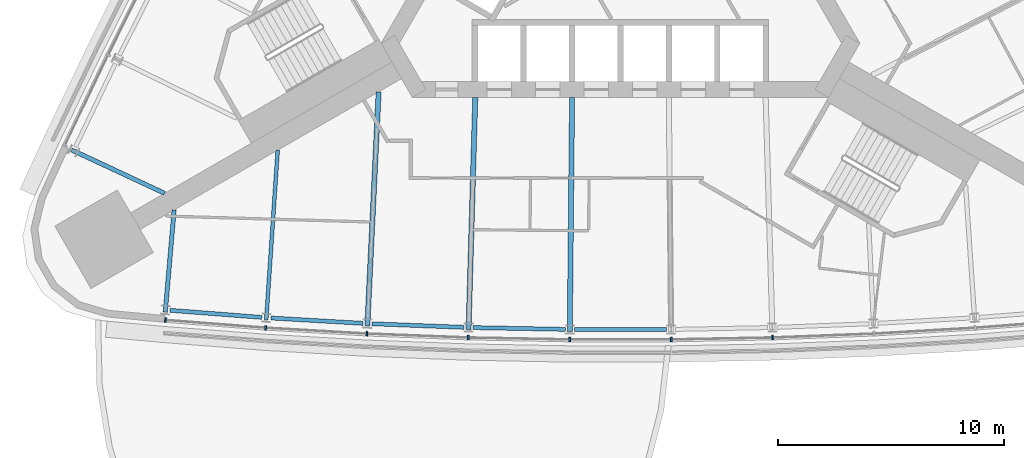
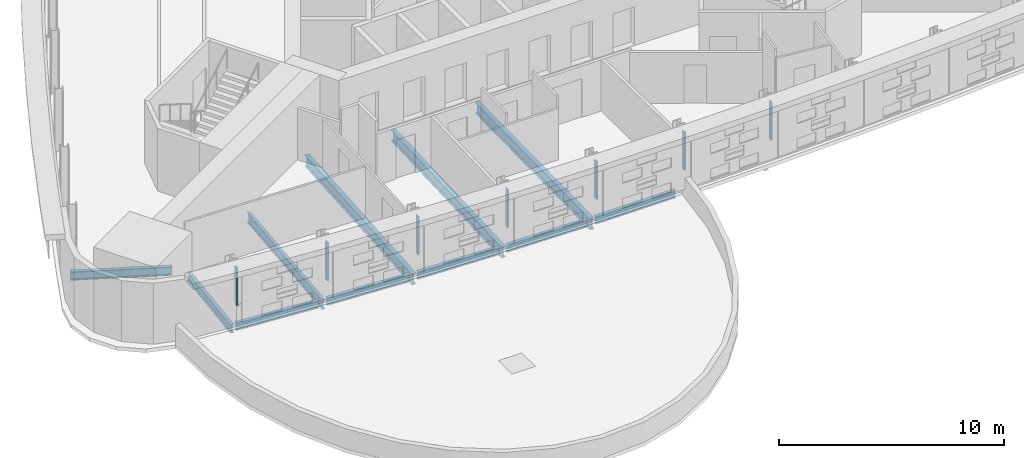
# One storey, part 2 of 15: 11 beams, 7 members, 1 element without a shape of its own.
"""IFC4 building model written with IfcOpenShell, lengths in metres."""

import ifcopenshell
import ifcopenshell.guid

model = None  # the IFC model being written
_history = None  # IfcOwnerHistory: only IFC2X3 demands one
_inside = {}  # id of a spatial element -> (the spatial element, [elements in it])
_under = {}  # id of a project, library or spatial element -> (it, [spatial elements below it])
_declared = {}  # id of a project -> (the project, [libraries it declares])
_typed = {}  # id of a type object -> (the type object, [elements of that type])
_made_of = {}  # id of a material, layer set ... -> (it, [elements and type objects made of it])


def new_model(schema):
    """Start an empty IFC model of exactly this schema.

    Asked for "IFC4X3", IfcOpenShell would pick the latest addendum, in which some entities
    have other attributes; the version numbers below select the first issue.
    IFC2X3 requires an IfcOwnerHistory on every rooted entity: one is made here for all.
    """
    global model, _history
    if schema == "IFC4X3":
        model = ifcopenshell.file(schema_version=(4, 3, 0, 0))
    else:
        model = ifcopenshell.file(schema=schema)
    _inside.clear()
    _under.clear()
    _declared.clear()
    _typed.clear()
    _made_of.clear()
    _history = None
    if model.schema == "IFC2X3":
        org = make("IfcOrganization", Name="unknown")
        user = make(
            "IfcPersonAndOrganization",
            ThePerson=make("IfcPerson", FamilyName="unknown"),
            TheOrganization=org,
        )
        app = make(
            "IfcApplication",
            ApplicationDeveloper=org,
            Version="unknown",
            ApplicationFullName="unknown",
            ApplicationIdentifier="unknown",
        )
        _history = make(
            "IfcOwnerHistory",
            OwningUser=user,
            OwningApplication=app,
            ChangeAction="ADDED",
            CreationDate=0,
        )
    return model


def make(cls, **values):
    """One entity of the class cls with the attributes given. An attribute that is None is left unset."""
    return model.create_entity(
        cls, **{name: value for name, value in values.items() if value is not None}
    )


def rooted(cls, **values):
    """An entity with a GlobalId (a new one), such as an element, a storey or a relation."""
    return make(cls, GlobalId=ifcopenshell.guid.new(), OwnerHistory=_history, **values)


def si_unit(unit_type, name, prefix=None):
    """IfcSIUnit, for example si_unit("LENGTHUNIT", "METRE", prefix="MILLI")."""
    return make("IfcSIUnit", UnitType=unit_type, Prefix=prefix, Name=name)


def assignment(units):
    """IfcUnitAssignment: the units of a project."""
    return None if units is None else make("IfcUnitAssignment", Units=units)


def point(xyz):
    """IfcCartesianPoint."""
    return None if xyz is None else make("IfcCartesianPoint", Coordinates=xyz)


def direction(xyz):
    """IfcDirection."""
    return None if xyz is None else make("IfcDirection", DirectionRatios=xyz)


def frame(location, z_axis=None, x_axis=None):
    """IfcAxis2Placement3D, a coordinate frame: its origin and axes. An axis left out is left unset."""
    return make(
        "IfcAxis2Placement3D",
        Location=point(location),
        Axis=direction(z_axis),
        RefDirection=direction(x_axis),
    )


def frame_2d(location, x_axis=None):
    """IfcAxis2Placement2D, a coordinate frame in the plane: its origin and x axis."""
    return make(
        "IfcAxis2Placement2D", Location=point(location), RefDirection=direction(x_axis)
    )


def origin():
    """The frame at (0, 0, 0) with its axes left unset."""
    return frame((0.0, 0.0, 0.0))


def origin_2d():
    """The frame at (0, 0) in the plane with its x axis left unset."""
    return frame_2d((0.0, 0.0))


def place(relative_to, where):
    """IfcLocalPlacement: puts the frame where relative to a parent placement (None: the world)."""
    return make(
        "IfcLocalPlacement", PlacementRelTo=relative_to, RelativePlacement=where
    )


def context(
    kind, dimensions, precision=None, world=None, true_north=None, identifier=None
):
    """IfcGeometricRepresentationContext, for example the 3D "Model" context."""
    return make(
        "IfcGeometricRepresentationContext",
        ContextIdentifier=identifier,
        ContextType=kind,
        CoordinateSpaceDimension=dimensions,
        Precision=precision,
        WorldCoordinateSystem=world,
        TrueNorth=true_north,
    )


def subcontext(parent, identifier, kind, view, scale=None):
    """IfcGeometricRepresentationSubContext, for example "Body" below "Model"."""
    return make(
        "IfcGeometricRepresentationSubContext",
        ContextIdentifier=identifier,
        ContextType=kind,
        ParentContext=parent,
        TargetScale=scale,
        TargetView=view,
    )


def project(units=None, contexts=None):
    """IfcProject with its units and contexts."""
    return rooted(
        "IfcProject",
        Name="project",
        RepresentationContexts=contexts,
        UnitsInContext=assignment(units),
    )


def spatial(cls, under=None, at=None, **own):
    """A site, building, storey or space (cls), placed at a placement, below another one or the project."""
    s = rooted(cls, ObjectPlacement=at, **own)
    if under is not None:
        _under.setdefault(under.id(), (under, []))[1].append(s)
    return s


def profile(cls, at=None, kind="AREA", **sizes):
    """A parametric profile (cls). Its sizes go by their IFC names, for example OverallWidth=200.0."""
    return make(cls, ProfileType=kind, Position=at, **sizes)


def rectangle(**sizes):
    """IfcRectangleProfileDef."""
    return profile("IfcRectangleProfileDef", **sizes)


def i_section(**sizes):
    """IfcIShapeProfileDef."""
    return profile("IfcIShapeProfileDef", **sizes)


def extrude(swept, where, along, depth):
    """IfcExtrudedAreaSolid: the profile swept, set in the frame where, extruded along a direction by depth."""
    return make(
        "IfcExtrudedAreaSolid",
        SweptArea=swept,
        Position=where,
        ExtrudedDirection=direction(along),
        Depth=depth,
    )


def shape(context_of_items, identifier, shape_type, items):
    """IfcShapeRepresentation: the items that make up one representation, for example the "Body"."""
    return make(
        "IfcShapeRepresentation",
        ContextOfItems=context_of_items,
        RepresentationIdentifier=identifier,
        RepresentationType=shape_type,
        Items=items,
    )


def material(Name=None, Category=None):
    """IfcMaterial."""
    return make("IfcMaterial", Name=Name, Category=Category)


def material_profile(
    of_material, cross_section, Name=None, Category=None, Priority=None
):
    """IfcMaterialProfile: a cross section and its material."""
    return make(
        "IfcMaterialProfile",
        Name=Name,
        Material=of_material,
        Profile=cross_section,
        Priority=Priority,
        Category=Category,
    )


def profile_set(profiles, Name=None, composite=None):
    """IfcMaterialProfileSet."""
    return make(
        "IfcMaterialProfileSet",
        Name=Name,
        MaterialProfiles=profiles,
        CompositeProfile=composite,
    )


def made_of(thing, what):
    """Note that an element or type object is made of a material, layer set ...; save() writes the relation."""
    if what is not None:
        _made_of.setdefault(what.id(), (what, []))[1].append(thing)
    return thing


def type_object(cls, material=None, **own):
    """A type object (cls), such as IfcWallType, which elements share."""
    return made_of(rooted(cls, **own), material)


def element(
    cls,
    number,
    at=None,
    inside=None,
    cuts=None,
    type_object=None,
    material=None,
    context=None,
    identifier="Body",
    shape_type=None,
    held_by="IfcProductDefinitionShape",
    body=None,
    shapes=None,
    **own,
):
    """One element of the class cls, such as IfcWall. Its Tag is "e" and its number.

    at: its placement. inside: the storey or other place that contains it. cuts: it is an
    opening in that element (IfcRelVoidsElement). A single representation is given by context,
    identifier, shape_type and body (its items); several are given by shapes. held_by: the class
    of the entity that holds the representations. save() writes the other relations.
    """
    e = rooted(cls, Tag="e%d" % number, ObjectPlacement=at, **own)
    if body is not None:
        shapes = [shape(context, identifier, shape_type, body)]
    if shapes is not None:
        e.Representation = make(held_by, Representations=shapes)
    if inside is not None:
        _inside.setdefault(inside.id(), (inside, []))[1].append(e)
    if cuts is not None:
        rooted(
            "IfcRelVoidsElement", RelatingBuildingElement=cuts, RelatedOpeningElement=e
        )
    if type_object is not None:
        _typed.setdefault(type_object.id(), (type_object, []))[1].append(e)
    return made_of(e, material)


def aggregate(whole, parts):
    """IfcRelAggregates: a whole, such as a stair, and the parts it consists of."""
    return rooted("IfcRelAggregates", RelatingObject=whole, RelatedObjects=parts)


def save(model, path):
    """Write the relations noted so far, then the file.

    IfcRelAggregates (storeys below a building ...), IfcRelContainedInSpatialStructure (elements
    in a storey), IfcRelDefinesByType, IfcRelAssociatesMaterial and IfcRelDeclares: one each for
    every whole, place, type object, material and project.
    """
    for whole, parts in _under.values():
        aggregate(whole, parts)
    for where, things in _inside.values():
        rooted(
            "IfcRelContainedInSpatialStructure",
            RelatedElements=things,
            RelatingStructure=where,
        )
    for kind, things in _typed.values():
        rooted("IfcRelDefinesByType", RelatedObjects=things, RelatingType=kind)
    for what, things in _made_of.values():
        rooted("IfcRelAssociatesMaterial", RelatedObjects=things, RelatingMaterial=what)
    for by, libraries in _declared.values():
        rooted("IfcRelDeclares", RelatingContext=by, RelatedDefinitions=libraries)
    model.write(path)


model = new_model("IFC4")

# Units and contexts
model_context = context("Model", 3, precision=1e-05, world=origin(), true_north=direction((0.0, 1.0)))
body_context = subcontext(model_context, "Body", "Model", "MODEL_VIEW")
ifc_project = project(units=[si_unit("LENGTHUNIT", "METRE"), si_unit("AREAUNIT", "SQUARE_METRE"), si_unit("VOLUMEUNIT", "CUBIC_METRE"), si_unit("PLANEANGLEUNIT", "RADIAN"), si_unit("MASSUNIT", "GRAM", prefix="KILO")], contexts=[model_context])

# Site, building, storey
site_placement = place(None, origin())
site = spatial("IfcSite", under=ifc_project, at=site_placement, CompositionType="ELEMENT")
building_placement = place(site_placement, origin())
building = spatial("IfcBuilding", under=site, at=building_placement, Name="Noor Cloister Tower", CompositionType="ELEMENT")
storey_placement = place(building_placement, frame((0.0, 0.0, 69.0)))
storey = spatial("IfcBuildingStorey", under=building, at=storey_placement, Name="L17", CompositionType="ELEMENT", Elevation=69.0)

# Curtain wall, members
ifc_material_1 = material(Name="Aluminium 6063-T6 anodised", Category="aluminium")
curtain_wall_type = type_object("IfcCurtainWallType", Name="Ribbon curtain wall, lower tower CW1", PredefinedType="NOTDEFINED", material=ifc_material_1)
curtain_wall_placement = place(storey_placement, origin())
curtain_wall = element("IfcCurtainWall", 1, at=curtain_wall_placement, inside=storey, type_object=curtain_wall_type, Name="CW1 L17 S run 2", PredefinedType="NOTDEFINED")
ifc_material_2 = material(Name="Aluminium 6063-T6 anodised", Category="aluminium")
ifc_material_profile_1 = material_profile(ifc_material_2, rectangle(XDim=0.199951171875, YDim=0.080078125, at=origin_2d()), Name="200 x 80 mullion")
ifc_profile_set_1 = profile_set([ifc_material_profile_1], Name="Aluminium 6063-T6 anodised")
member_type = type_object("IfcMemberType", Name="Mullion CW1 80 x 200", PredefinedType="MULLION", material=ifc_profile_set_1)
member_1_placement = place(storey_placement, frame((-20.177001953125, -16.80419921875, 1.10009765625), z_axis=(0.0, 0.0, 1.0), x_axis=(0.077092640523, 0.997023933904, 0.0)))
member_1 = element("IfcMember", 2, at=member_1_placement, type_object=member_type, Name="CW1 mullion 1", PredefinedType="MULLION", context=body_context, shape_type="SweptSolid", body=[
    extrude(rectangle(XDim=0.199951171875, YDim=0.080078125, at=origin_2d()), origin(), (0.0, 0.0, 1.0), 2.0498046875),
])
member_2_placement = place(storey_placement, frame((-15.731201171875, -17.14794921875, 1.10009765625), z_axis=(0.0, 0.0, 1.0), x_axis=(0.067471755101, 0.997721184632, 0.0)))
member_2 = element("IfcMember", 3, at=member_2_placement, type_object=member_type, Name="CW1 mullion 2", PredefinedType="MULLION", context=body_context, shape_type="SweptSolid", body=[
    extrude(rectangle(XDim=0.199951171875, YDim=0.080078125, at=origin_2d()), origin(), (0.0, 0.0, 1.0), 2.0498046875),
])
member_3_placement = place(storey_placement, frame((-11.24072265625, -17.407958984375, 1.10009765625), z_axis=(0.0, 0.0, 1.0), x_axis=(0.048212063221, 0.998837122338, 0.0)))
member_3 = element("IfcMember", 4, at=member_3_placement, type_object=member_type, Name="CW1 mullion 3", PredefinedType="MULLION", context=body_context, shape_type="SweptSolid", body=[
    extrude(rectangle(XDim=0.199951171875, YDim=0.080078125, at=origin_2d()), origin(), (0.0, 0.0, 1.0), 2.0498046875),
])
member_4_placement = place(storey_placement, frame((-6.74609375, -17.58154296875, 1.10009765625), z_axis=(0.0, 0.0, 1.0), x_axis=(0.028934410279, 0.999581312301, 0.0)))
member_4 = element("IfcMember", 5, at=member_4_placement, type_object=member_type, Name="CW1 mullion 4", PredefinedType="MULLION", context=body_context, shape_type="SweptSolid", body=[
    extrude(rectangle(XDim=0.199951171875, YDim=0.080078125, at=origin_2d()), origin(), (0.0, 0.0, 1.0), 2.0498046875),
])
member_5_placement = place(storey_placement, frame((-2.2490234375, -17.668212890625, 1.10009765625), z_axis=(0.0, 0.0, 1.0), x_axis=(0.009646005931, 0.999953476203, 0.0)))
member_5 = element("IfcMember", 6, at=member_5_placement, type_object=member_type, Name="CW1 mullion 5", PredefinedType="MULLION", context=body_context, shape_type="SweptSolid", body=[
    extrude(rectangle(XDim=0.199951171875, YDim=0.080078125, at=origin_2d()), origin(), (0.0, 0.0, 1.0), 2.0498046875),
])
member_6_placement = place(storey_placement, frame((2.2490234375, -17.668212890625, 1.10009765625), z_axis=(0.0, 0.0, 1.0), x_axis=(-0.009646005931, 0.999953476203, 0.0)))
member_6 = element("IfcMember", 7, at=member_6_placement, type_object=member_type, Name="CW1 mullion 6", PredefinedType="MULLION", context=body_context, shape_type="SweptSolid", body=[
    extrude(rectangle(XDim=0.199951171875, YDim=0.080078125, at=origin_2d()), origin(), (0.0, 0.0, 1.0), 2.0498046875),
])
member_7_placement = place(storey_placement, frame((6.74609375, -17.58154296875, 1.10009765625), z_axis=(0.0, 0.0, 1.0), x_axis=(-0.028934410279, 0.999581312301, 0.0)))
member_7 = element("IfcMember", 8, at=member_7_placement, type_object=member_type, Name="CW1 mullion 7", PredefinedType="MULLION", context=body_context, shape_type="SweptSolid", body=[
    extrude(rectangle(XDim=0.199951171875, YDim=0.080078125, at=origin_2d()), origin(), (0.0, 0.0, 1.0), 2.0498046875),
])
aggregate(curtain_wall, [member_1, member_2, member_3, member_4, member_5, member_6, member_7])

# Beams
ifc_material_3 = material(Name="Steel ASTM A992 Gr 50", Category="steel")
ifc_material_profile_2 = material_profile(ifc_material_3, i_section(OverallWidth=0.19091796875, OverallDepth=0.45703125, WebThickness=0.009033203125, FlangeThickness=0.014404296875, FilletRadius=0.01025390625, at=origin_2d()), Name="W460x74")
ifc_profile_set_2 = profile_set([ifc_material_profile_2], Name="Steel ASTM A992 Gr 50")
beam_type_1 = type_object("IfcBeamType", Name="Radial beam W460x74", PredefinedType="BEAM", material=ifc_profile_set_2)
for number, where, z_axis, x_axis, name in (
    (9, (-24.33837890625, -9.25634765625, -0.428466796875), (0.906124182133, -0.423011780632, 0.0), (0.423011780632, 0.906124182133, 0.0), "Radial beam NW 10 L17"),
    (10, (-20.185302734375, -16.449462890625, -0.428466796875), (0.08671760944, 0.996232932709, 0.0), (-0.996232932709, 0.08671760944, 0.0), "Radial beam S 01 L17"),
):
    element("IfcBeam", number, at=place(storey_placement, frame(where, z_axis=z_axis, x_axis=x_axis)), inside=storey, type_object=beam_type_1, Name=name, PredefinedType="BEAM", context=body_context, shape_type="SweptSolid", body=[
        extrude(i_section(OverallWidth=0.19091796875, OverallDepth=0.45703125, WebThickness=0.009033203125, FlangeThickness=0.014404296875, FilletRadius=0.01025390625, at=origin_2d()), origin(), (0.0, 0.0, 1.0), 4.549560546875),
    ])
ifc_material_4 = material(Name="Steel ASTM A992 Gr 50", Category="steel")
ifc_material_profile_3 = material_profile(ifc_material_4, i_section(OverallWidth=0.166015625, OverallDepth=0.528076171875, WebThickness=0.009765625, FlangeThickness=0.013671875, FilletRadius=0.0126953125, at=origin_2d()), Name="W530x74")
ifc_profile_set_3 = profile_set([ifc_material_profile_3], Name="Steel ASTM A992 Gr 50")
beam_type_2 = type_object("IfcBeamType", Name="Radial beam W530x74", PredefinedType="BEAM", material=ifc_profile_set_3)
beam_1_placement = place(storey_placement, frame((-15.70751953125, -16.795654296875, -0.464111328125), z_axis=(0.067476517937, 0.99772086253, 0.0), x_axis=(-0.99772086253, 0.067476517937, 0.0)))
element("IfcBeam", 11, at=beam_1_placement, inside=storey, type_object=beam_type_2, Name="Radial beam S 02 L17", PredefinedType="BEAM", context=body_context, shape_type="SweptSolid", body=[
    extrude(i_section(OverallWidth=0.166015625, OverallDepth=0.528076171875, WebThickness=0.009765625, FlangeThickness=0.013671875, FilletRadius=0.0126953125, at=origin_2d()), origin(), (0.0, 0.0, 1.0), 7.54736328125),
])
ifc_material_5 = material(Name="Steel ASTM A992 Gr 50", Category="steel")
ifc_material_profile_4 = material_profile(ifc_material_5, i_section(OverallWidth=0.22802734375, OverallDepth=0.60205078125, WebThickness=0.010498046875, FlangeThickness=0.014892578125, FilletRadius=0.0126953125, at=origin_2d()), Name="W610x101")
ifc_profile_set_4 = profile_set([ifc_material_profile_4], Name="Steel ASTM A992 Gr 50")
beam_type_3 = type_object("IfcBeamType", Name="Radial beam W610x101", PredefinedType="BEAM", material=ifc_profile_set_4)
beam_2_placement = place(storey_placement, frame((-11.223876953125, -17.055419921875, -0.5009765625), z_axis=(0.048212912237, 0.998837081357, 0.0), x_axis=(-0.998837081357, 0.048212912237, 0.0)))
element("IfcBeam", 12, at=beam_2_placement, inside=storey, type_object=beam_type_3, Name="Radial beam S 03 L17", PredefinedType="BEAM", context=body_context, shape_type="SweptSolid", body=[
    extrude(i_section(OverallWidth=0.22802734375, OverallDepth=0.60205078125, WebThickness=0.010498046875, FlangeThickness=0.014892578125, FilletRadius=0.0126953125, at=origin_2d()), origin(), (0.0, 0.0, 1.0), 10.3857421875),
])
beam_3_placement = place(storey_placement, frame((-6.73583984375, -17.228759765625, -0.5009765625), z_axis=(0.028927710154, 0.999581506224, 0.0), x_axis=(-0.999581506224, 0.028927710154, 0.0)))
element("IfcBeam", 13, at=beam_3_placement, inside=storey, type_object=beam_type_3, Name="Radial beam S 04 L17", PredefinedType="BEAM", context=body_context, shape_type="SweptSolid", body=[
    extrude(i_section(OverallWidth=0.22802734375, OverallDepth=0.60205078125, WebThickness=0.010498046875, FlangeThickness=0.014892578125, FilletRadius=0.0126953125, at=origin_2d()), origin(), (0.0, 0.0, 1.0), 10.304931640625),
])
beam_4_placement = place(storey_placement, frame((-2.24560546875, -17.3154296875, -0.5009765625), z_axis=(0.009636181171, 0.999953570928, 0.0), x_axis=(-0.999953570928, 0.009636181171, 0.0)))
element("IfcBeam", 14, at=beam_4_placement, inside=storey, type_object=beam_type_3, Name="Radial beam S 05 L17", PredefinedType="BEAM", context=body_context, shape_type="SweptSolid", body=[
    extrude(i_section(OverallWidth=0.22802734375, OverallDepth=0.60205078125, WebThickness=0.010498046875, FlangeThickness=0.014892578125, FilletRadius=0.0126953125, at=origin_2d()), origin(), (0.0, 0.0, 1.0), 10.3876953125),
])
ifc_material_6 = material(Name="Steel ASTM A992 Gr 50", Category="steel")
ifc_material_profile_5 = material_profile(ifc_material_6, i_section(OverallWidth=0.177978515625, OverallDepth=0.406005859375, WebThickness=0.0078125, FlangeThickness=0.0126953125, FilletRadius=0.01025390625, at=origin_2d()), Name="W410x60")
ifc_profile_set_5 = profile_set([ifc_material_profile_5], Name="Steel ASTM A992 Gr 50")
beam_type_4 = type_object("IfcBeamType", Name="Spandrel beam W410x60", PredefinedType="SPANDREL", material=ifc_profile_set_5)
beam_5_placement = place(storey_placement, frame((-19.9755859375, -16.368408203125, -0.403076171875), z_axis=(0.997024176871, -0.077089498212, 0.0), x_axis=(0.077089498212, 0.997024176871, 0.0)))
element("IfcBeam", 15, at=beam_5_placement, inside=storey, type_object=beam_type_4, Name="Spandrel beam S 01 L17", PredefinedType="SPANDREL", context=body_context, shape_type="SweptSolid", body=[
    extrude(i_section(OverallWidth=0.177978515625, OverallDepth=0.406005859375, WebThickness=0.0078125, FlangeThickness=0.0126953125, FilletRadius=0.01025390625, at=origin_2d()), origin(), (0.0, 0.0, 1.0), 4.08544921875),
])
for number, where, z_axis, x_axis, name in (
    (16, (-15.499267578125, -16.710693359375, -0.403076171875), (0.998328754654, -0.057790117076, 0.0), (0.057790117076, 0.998328754654, 0.0), "Spandrel beam S 02 L17"),
    (17, (-11.017333984375, -16.96630859375, -0.403076171875), (0.999254539372, -0.038605252822, 0.0), (0.038605252822, 0.999254539372, 0.0), "Spandrel beam S 03 L17"),
):
    element("IfcBeam", number, at=place(storey_placement, frame(where, z_axis=z_axis, x_axis=x_axis)), inside=storey, type_object=beam_type_4, Name=name, PredefinedType="SPANDREL", context=body_context, shape_type="SweptSolid", body=[
        extrude(i_section(OverallWidth=0.177978515625, OverallDepth=0.406005859375, WebThickness=0.0078125, FlangeThickness=0.0126953125, FilletRadius=0.01025390625, at=origin_2d()), origin(), (0.0, 0.0, 1.0), 4.085205078125),
    ])
for number, where, z_axis, x_axis, name in (
    (18, (-6.53125, -17.1357421875, -0.403076171875), (0.999814852725, -0.019242148262, 0.0), (0.019242148262, 0.999814852725, 0.0), "Spandrel beam S 04 L17"),
    (19, (-2.042724609375, -17.21826171875, -0.403076171875), (1.0, 0.0, 0.0), (0.0, 1.0, 0.0), "Spandrel beam S 05 L17"),
):
    element("IfcBeam", number, at=place(storey_placement, frame(where, z_axis=z_axis, x_axis=x_axis)), inside=storey, type_object=beam_type_4, Name=name, PredefinedType="SPANDREL", context=body_context, shape_type="SweptSolid", body=[
        extrude(i_section(OverallWidth=0.177978515625, OverallDepth=0.406005859375, WebThickness=0.0078125, FlangeThickness=0.0126953125, FilletRadius=0.01025390625, at=origin_2d()), origin(), (0.0, 0.0, 1.0), 4.08544921875),
    ])

save(model, "model.ifc")
